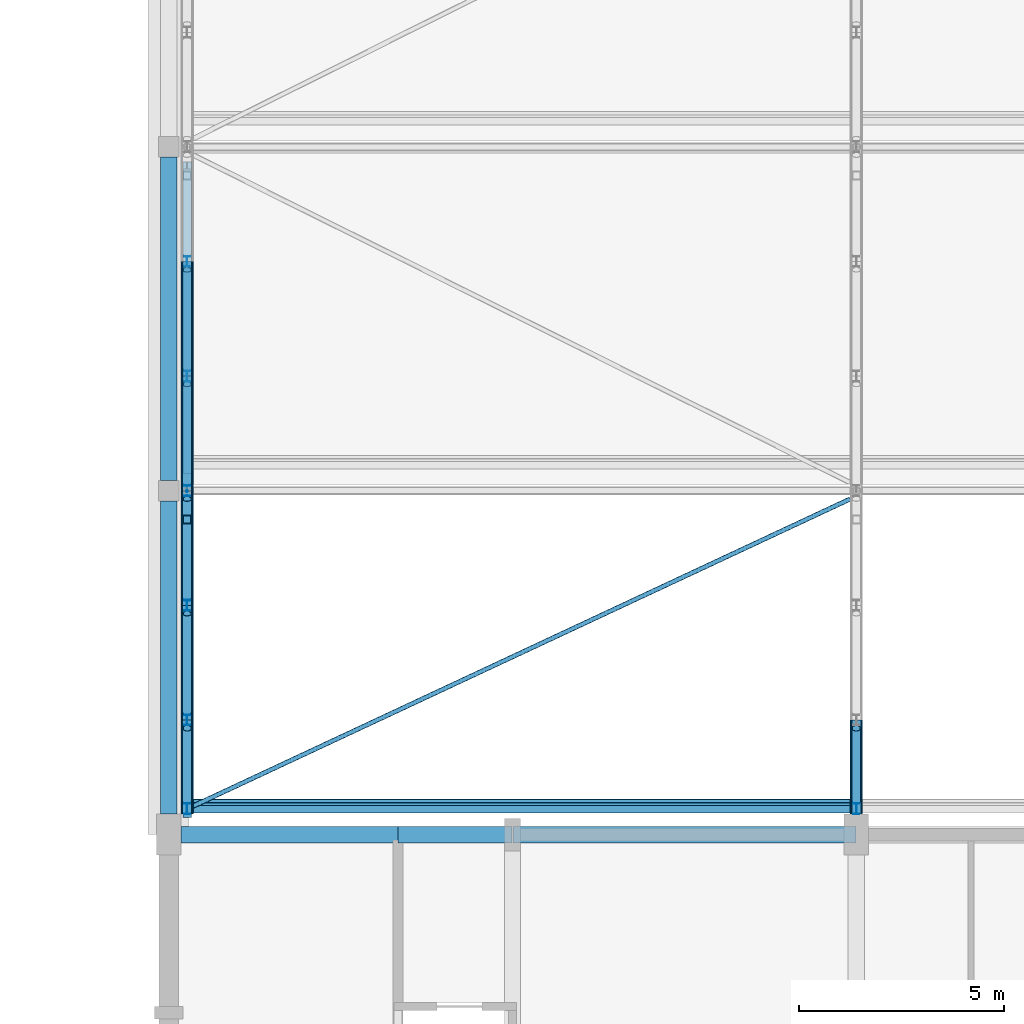
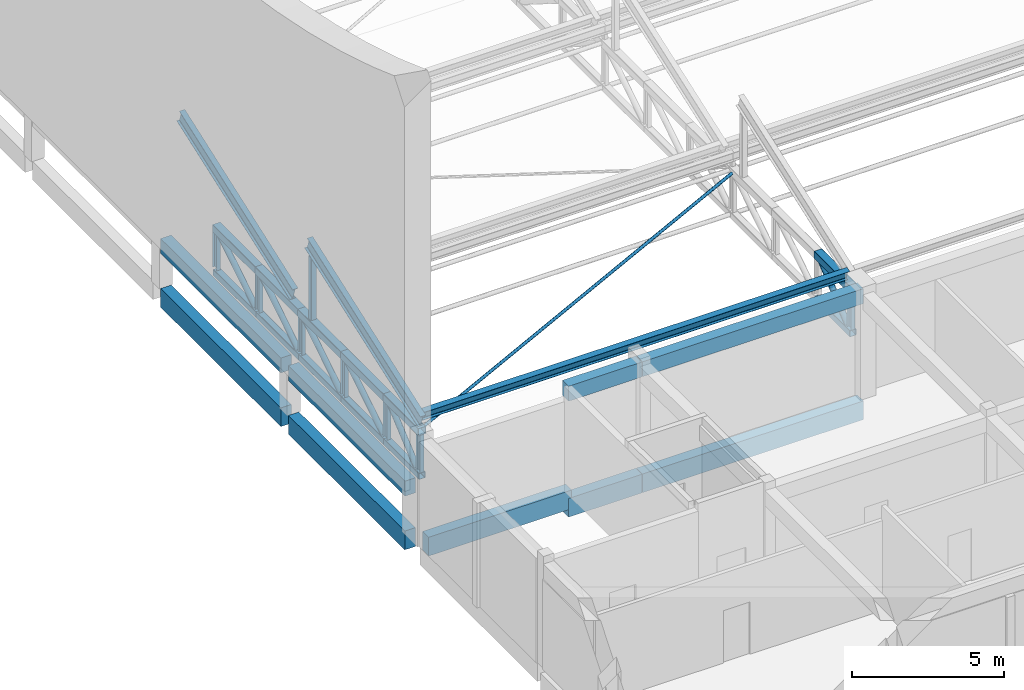
# One storey, part 9 of 101: 30 members, 9 beams.
"""IFC4 building model written with IfcOpenShell, lengths in metres."""

from ifc_helpers import new_model, si_unit, direction, frame, origin, origin_2d, place, context, subcontext, project, spatial, rectangle, hollow_rectangle, hollow_circle, i_section, extrude, material, material_profile, profile_set, type_object, element, save


model = new_model("IFC4")

# Units and contexts
model_context = context("Model", 3, precision=1e-05, world=origin(), true_north=direction((0.0, 1.0)))
body_context = subcontext(model_context, "Body", "Model", "MODEL_VIEW")
ifc_project = project(units=[si_unit("LENGTHUNIT", "METRE"), si_unit("AREAUNIT", "SQUARE_METRE"), si_unit("VOLUMEUNIT", "CUBIC_METRE"), si_unit("PLANEANGLEUNIT", "RADIAN"), si_unit("MASSUNIT", "GRAM", prefix="KILO")], contexts=[model_context])

# Site, building, storey
site_placement = place(None, origin())
site = spatial("IfcSite", under=ifc_project, at=site_placement, CompositionType="ELEMENT")
building_placement = place(site_placement, origin())
building = spatial("IfcBuilding", under=site, at=building_placement, Name="Fescue Hill Polytechnic", CompositionType="ELEMENT")
storey_placement = place(building_placement, frame((0.0, 0.0, 9.0)))
storey = spatial("IfcBuildingStorey", under=building, at=storey_placement, Name="L02", CompositionType="ELEMENT", Elevation=9.0)

# Beams
ifc_material_1 = material(Name="Concrete 35 MPa", Category="concrete")
ifc_material_profile_1 = material_profile(ifc_material_1, rectangle(XDim=0.39990234375, YDim=0.60009765625, at=origin_2d()), Name="RC 400x600")
ifc_profile_set_1 = profile_set([ifc_material_profile_1], Name="Concrete 35 MPa")
beam_type_1 = type_object("IfcBeamType", Name="Beam RC 400x600", PredefinedType="BEAM", material=ifc_profile_set_1)
beam_1_placement = place(storey_placement, frame((5.60009765625, 16.800048828125, 3.89990234375), z_axis=(1.0, 0.0, 0.0), x_axis=(0.0, 1.0, 0.0)))
element("IfcBeam", 1, at=beam_1_placement, inside=storey, type_object=beam_type_1, Name="BR-L02-0003", PredefinedType="BEAM", context=body_context, shape_type="SweptSolid", body=[
    extrude(rectangle(XDim=0.39990234375, YDim=0.60009765625, at=origin_2d()), origin(), (0.0, 0.0, 1.0), 2.789794921875),
])
beam_2_placement = place(storey_placement, frame((8.409912109375, 16.800048828125, 3.89990234375), z_axis=(1.0, 0.0, 0.0), x_axis=(0.0, 1.0, 0.0)))
element("IfcBeam", 2, at=beam_2_placement, inside=storey, type_object=beam_type_1, Name="BR-L02-0008", PredefinedType="BEAM", context=body_context, shape_type="SweptSolid", body=[
    extrude(rectangle(XDim=0.39990234375, YDim=0.60009765625, at=origin_2d()), origin(), (0.0, 0.0, 1.0), 8.380126953125),
])
beam_3_placement = place(storey_placement, frame((0.0, 17.300048828125, 1.699951171875), z_axis=(0.0, 1.0, 0.0), x_axis=(-1.0, 0.0, 0.0)))
element("IfcBeam", 3, at=beam_3_placement, inside=storey, type_object=beam_type_1, Name="Hall west gable crest beam 1", PredefinedType="BEAM", context=body_context, shape_type="SweptSolid", body=[
    extrude(rectangle(XDim=0.39990234375, YDim=0.60009765625, at=origin_2d()), origin(), (0.0, 0.0, 1.0), 7.64990234375),
])
beam_4_placement = place(storey_placement, frame((0.0, 25.449951171875, 1.699951171875), z_axis=(0.0, 1.0, 0.0), x_axis=(-1.0, 0.0, 0.0)))
element("IfcBeam", 4, at=beam_4_placement, inside=storey, type_object=beam_type_1, Name="Hall west gable crest beam 2", PredefinedType="BEAM", context=body_context, shape_type="SweptSolid", body=[
    extrude(rectangle(XDim=0.39990234375, YDim=0.60009765625, at=origin_2d()), origin(), (0.0, 0.0, 1.0), 7.900146484375),
])
ifc_material_profile_2 = material_profile(ifc_material_1, rectangle(XDim=0.39990234375, YDim=0.75, at=origin_2d()), Name="RC 400x750")
ifc_profile_set_2 = profile_set([ifc_material_profile_2], Name="Concrete 35 MPa")
beam_type_2 = type_object("IfcBeamType", Name="Beam RC 400x750", PredefinedType="BEAM", material=ifc_profile_set_2)
beam_5_placement = place(storey_placement, frame((5.60009765625, 16.800048828125, -0.675048828125), z_axis=(1.0, 0.0, 0.0), x_axis=(0.0, 1.0, 0.0)))
element("IfcBeam", 5, at=beam_5_placement, inside=storey, type_object=beam_type_2, Name="BM-L02-0012", PredefinedType="BEAM", context=body_context, shape_type="SweptSolid", body=[
    extrude(rectangle(XDim=0.39990234375, YDim=0.75, at=origin_2d()), origin(), (0.0, 0.0, 1.0), 2.789794921875),
])
beam_6_placement = place(storey_placement, frame((8.409912109375, 16.800048828125, -0.675048828125), z_axis=(1.0, 0.0, 0.0), x_axis=(0.0, 1.0, 0.0)))
element("IfcBeam", 6, at=beam_6_placement, inside=storey, type_object=beam_type_2, Name="BM-L02-0025", PredefinedType="BEAM", context=body_context, shape_type="SweptSolid", body=[
    extrude(rectangle(XDim=0.39990234375, YDim=0.75, at=origin_2d()), origin(), (0.0, 0.0, 1.0), 8.380126953125),
])
beam_7_placement = place(storey_placement, frame((0.0, 24.949951171875, -0.375), z_axis=(0.0, -1.0, 0.0), x_axis=(1.0, 0.0, 0.0)))
element("IfcBeam", 7, at=beam_7_placement, inside=storey, type_object=beam_type_2, Name="BM-L02-0140", PredefinedType="BEAM", context=body_context, shape_type="SweptSolid", body=[
    extrude(rectangle(XDim=0.39990234375, YDim=0.75, at=origin_2d()), origin(), (0.0, 0.0, 1.0), 7.64990234375),
])
beam_8_placement = place(storey_placement, frame((0.0, 33.35009765625, -0.375), z_axis=(0.0, -1.0, 0.0), x_axis=(1.0, 0.0, 0.0)))
element("IfcBeam", 8, at=beam_8_placement, inside=storey, type_object=beam_type_2, Name="BM-L02-0141", PredefinedType="BEAM", context=body_context, shape_type="SweptSolid", body=[
    extrude(rectangle(XDim=0.39990234375, YDim=0.75, at=origin_2d()), origin(), (0.0, 0.0, 1.0), 7.900146484375),
])
beam_9_placement = place(storey_placement, frame((0.300048828125, 16.800048828125, -0.375), z_axis=(1.0, 0.0, 0.0), x_axis=(0.0, 1.0, 0.0)))
element("IfcBeam", 9, at=beam_9_placement, inside=storey, type_object=beam_type_2, Name="BM-L02-0145", PredefinedType="BEAM", context=body_context, shape_type="SweptSolid", body=[
    extrude(rectangle(XDim=0.39990234375, YDim=0.75, at=origin_2d()), origin(), (0.0, 0.0, 1.0), 5.425048828125),
])

# Members
ifc_material_2 = material(Name="Steel 350W (350 MPa)", Category="steel")
ifc_material_profile_3 = material_profile(ifc_material_2, hollow_circle(Radius=0.05712890625, WallThickness=0.00634765625, at=origin_2d()), Name="Hall roof plan brace CHS 114x6.4")
ifc_profile_set_3 = profile_set([ifc_material_profile_3], Name="Steel 350W (350 MPa)")
member_type_1 = type_object("IfcMemberType", Name="Hall roof plan brace CHS 114x6.4", PredefinedType="BRACE", material=ifc_profile_set_3)
member_1_placement = place(storey_placement, frame((0.602294921875, 17.5, 3.783447265625), z_axis=(0.905920261856, 0.423448319348, 0.0), x_axis=(-0.423448319348, 0.905920261856, 0.0)))
element("IfcMember", 10, at=member_1_placement, inside=storey, type_object=member_type_1, Name="Roof plan brace bay 1 panel 1", PredefinedType="BRACE", context=body_context, shape_type="SweptSolid", body=[
    extrude(hollow_circle(Radius=0.05712890625, WallThickness=0.00634765625, at=origin_2d()), origin(), (0.0, 0.0, 1.0), 17.711669921875),
])
ifc_material_profile_4 = material_profile(ifc_material_2, hollow_rectangle(XDim=0.25390625, YDim=0.25390625, WallThickness=0.0126953125, InnerFilletRadius=0.0126953125, OuterFilletRadius=0.025390625, at=origin_2d()), Name="Hall truss bottom chord HSS 254x254x13")
ifc_profile_set_4 = profile_set([ifc_material_profile_4], Name="Steel 350W (350 MPa)")
member_type_2 = type_object("IfcMemberType", Name="Hall truss bottom chord HSS 254x254x13", PredefinedType="CHORD", material=ifc_profile_set_4)
member_2_placement = place(storey_placement, frame((0.449951171875, 17.300048828125, 2.0), z_axis=(0.0, 1.0, 0.0), x_axis=(-1.0, 0.0, 0.0)))
element("IfcMember", 11, at=member_2_placement, inside=storey, type_object=member_type_2, Name="Truss TR1 bottom chord 1", PredefinedType="CHORD", context=body_context, shape_type="SweptSolid", body=[
    extrude(hollow_rectangle(XDim=0.25390625, YDim=0.25390625, WallThickness=0.0126953125, InnerFilletRadius=0.0126953125, OuterFilletRadius=0.025390625, at=origin_2d()), origin(), (0.0, 0.0, 1.0), 2.300048828125),
])
member_3_placement = place(storey_placement, frame((0.449951171875, 19.60009765625, 2.0), z_axis=(0.0, 1.0, 0.0), x_axis=(-1.0, 0.0, 0.0)))
element("IfcMember", 12, at=member_3_placement, inside=storey, type_object=member_type_2, Name="Truss TR1 bottom chord 2", PredefinedType="CHORD", context=body_context, shape_type="SweptSolid", body=[
    extrude(hollow_rectangle(XDim=0.25390625, YDim=0.25390625, WallThickness=0.0126953125, InnerFilletRadius=0.0126953125, OuterFilletRadius=0.025390625, at=origin_2d()), origin(), (0.0, 0.0, 1.0), 2.7998046875),
])
for number, where, z_axis, x_axis, name in (
    (13, (0.449951171875, 22.39990234375, 2.0), (0.0, 1.0, 0.0), (-1.0, 0.0, 0.0), "Truss TR1 bottom chord 3"),
    (14, (0.449951171875, 25.199951171875, 2.0), (0.0, 1.0, 0.0), (-1.0, 0.0, 0.0), "Truss TR1 bottom chord 4"),
    (15, (0.449951171875, 28.0, 2.0), (0.0, 1.0, 0.0), (-1.0, 0.0, 0.0), "Truss TR1 bottom chord 5"),
):
    element("IfcMember", number, at=place(storey_placement, frame(where, z_axis=z_axis, x_axis=x_axis)), inside=storey, type_object=member_type_2, Name=name, PredefinedType="CHORD", context=body_context, shape_type="SweptSolid", body=[
        extrude(hollow_rectangle(XDim=0.25390625, YDim=0.25390625, WallThickness=0.0126953125, InnerFilletRadius=0.0126953125, OuterFilletRadius=0.025390625, at=origin_2d()), origin(), (0.0, 0.0, 1.0), 2.800048828125),
    ])
member_4_placement = place(storey_placement, frame((16.800048828125, 17.300048828125, 2.0), z_axis=(0.0, 1.0, 0.0), x_axis=(-1.0, 0.0, 0.0)))
element("IfcMember", 16, at=member_4_placement, inside=storey, type_object=member_type_2, Name="Truss TR2 bottom chord 1", PredefinedType="CHORD", context=body_context, shape_type="SweptSolid", body=[
    extrude(hollow_rectangle(XDim=0.25390625, YDim=0.25390625, WallThickness=0.0126953125, InnerFilletRadius=0.0126953125, OuterFilletRadius=0.025390625, at=origin_2d()), origin(), (0.0, 0.0, 1.0), 2.300048828125),
])
ifc_material_profile_5 = material_profile(ifc_material_2, hollow_circle(Radius=0.109619140625, WallThickness=0.009521484375, at=origin_2d()), Name="Hall truss diagonal CHS 219x9.5")
ifc_profile_set_5 = profile_set([ifc_material_profile_5], Name="Steel 350W (350 MPa)")
member_type_3 = type_object("IfcMemberType", Name="Hall truss diagonal CHS 219x9.5", PredefinedType="BRACE", material=ifc_profile_set_5)
member_5_placement = place(storey_placement, frame((0.449951171875, 17.633056640625, 2.126953125), z_axis=(0.0, 0.761443253909, 0.648231572107), x_axis=(-1.0, 0.0, 0.0)))
element("IfcMember", 17, at=member_5_placement, inside=storey, type_object=member_type_3, Name="Truss TR1 diagonal 1", PredefinedType="BRACE", context=body_context, shape_type="SweptSolid", body=[
    extrude(hollow_circle(Radius=0.109619140625, WallThickness=0.009521484375, at=origin_2d()), origin(), (0.0, 0.0, 1.0), 2.3203125),
])
for number, where, z_axis, x_axis, name in (
    (18, (0.449951171875, 19.800048828125, 2.126953125), (0.0, 0.847329350891, 0.531067765091), (-1.0, 0.0, 0.0), "Truss TR1 diagonal 2"),
    (19, (0.449951171875, 22.60009765625, 2.126953125), (0.0, 0.847329350891, 0.531067765091), (-1.0, 0.0, 0.0), "Truss TR1 diagonal 3"),
):
    element("IfcMember", number, at=place(storey_placement, frame(where, z_axis=z_axis, x_axis=x_axis)), inside=storey, type_object=member_type_3, Name=name, PredefinedType="BRACE", context=body_context, shape_type="SweptSolid", body=[
        extrude(hollow_circle(Radius=0.109619140625, WallThickness=0.009521484375, at=origin_2d()), origin(), (0.0, 0.0, 1.0), 2.832275390625),
    ])
for number, where, z_axis, x_axis, name in (
    (20, (0.449951171875, 25.39990234375, 2.126953125), (0.0, 0.847353658992, 0.531028979051), (-1.0, 0.0, 0.0), "Truss TR1 diagonal 4"),
    (21, (0.449951171875, 28.199951171875, 2.126953125), (0.0, 0.847353658992, 0.531028979051), (-1.0, 0.0, 0.0), "Truss TR1 diagonal 5"),
):
    element("IfcMember", number, at=place(storey_placement, frame(where, z_axis=z_axis, x_axis=x_axis)), inside=storey, type_object=member_type_3, Name=name, PredefinedType="BRACE", context=body_context, shape_type="SweptSolid", body=[
        extrude(hollow_circle(Radius=0.109619140625, WallThickness=0.009521484375, at=origin_2d()), origin(), (0.0, 0.0, 1.0), 2.83251953125),
    ])
member_6_placement = place(storey_placement, frame((16.800048828125, 17.633056640625, 2.126953125), z_axis=(0.0, 0.761443253909, 0.648231572107), x_axis=(-1.0, 0.0, 0.0)))
element("IfcMember", 22, at=member_6_placement, inside=storey, type_object=member_type_3, Name="Truss TR2 diagonal 1", PredefinedType="BRACE", context=body_context, shape_type="SweptSolid", body=[
    extrude(hollow_circle(Radius=0.109619140625, WallThickness=0.009521484375, at=origin_2d()), origin(), (0.0, 0.0, 1.0), 2.3203125),
])
ifc_material_profile_6 = material_profile(ifc_material_2, i_section(OverallWidth=0.14794921875, OverallDepth=0.26611328125, WebThickness=0.007568359375, FlangeThickness=0.012939453125, FilletRadius=0.013916015625, at=origin_2d()), Name="W250x45")
ifc_profile_set_6 = profile_set([ifc_material_profile_6], Name="Steel 350W (350 MPa)")
member_type_4 = type_object("IfcMemberType", Name="Hall truss post W250x45", PredefinedType="POST", material=ifc_profile_set_6)
for number, where, z_axis, x_axis, name in (
    (23, (0.449951171875, 17.43310546875, 2.126953125), (0.0, 0.0, 1.0), (1.0, 0.0, 0.0), "Truss TR1 post 1"),
    (24, (0.449951171875, 19.60009765625, 2.126953125), (0.0, 0.0, 1.0), (1.0, 0.0, 0.0), "Truss TR1 post 2"),
    (25, (0.449951171875, 22.39990234375, 2.126953125), (0.0, 0.0, 1.0), (1.0, 0.0, 0.0), "Truss TR1 post 3"),
    (26, (0.449951171875, 25.199951171875, 2.126953125), (0.0, 0.0, 1.0), (1.0, 0.0, 0.0), "Truss TR1 post 4"),
    (27, (0.449951171875, 28.0, 2.126953125), (0.0, 0.0, 1.0), (1.0, 0.0, 0.0), "Truss TR1 post 5"),
    (28, (0.449951171875, 30.800048828125, 2.126953125), (0.0, 0.0, 1.0), (1.0, 0.0, 0.0), "Truss TR1 post 6"),
    (29, (16.800048828125, 17.43310546875, 2.126953125), (0.0, 0.0, 1.0), (1.0, 0.0, 0.0), "Truss TR2 post 1"),
):
    element("IfcMember", number, at=place(storey_placement, frame(where, z_axis=z_axis, x_axis=x_axis)), inside=storey, type_object=member_type_4, Name=name, PredefinedType="POST", context=body_context, shape_type="SweptSolid", body=[
        extrude(i_section(OverallWidth=0.14794921875, OverallDepth=0.26611328125, WebThickness=0.007568359375, FlangeThickness=0.012939453125, FilletRadius=0.013916015625, at=origin_2d()), origin(), (0.0, 0.0, 1.0), 1.504150390625),
    ])
ifc_material_profile_7 = material_profile(ifc_material_2, hollow_rectangle(XDim=0.3046875, YDim=0.3046875, WallThickness=0.0126953125, InnerFilletRadius=0.0126953125, OuterFilletRadius=0.025390625, at=origin_2d()), Name="Hall truss top chord HSS 305x305x13")
ifc_profile_set_7 = profile_set([ifc_material_profile_7], Name="Steel 350W (350 MPa)")
member_type_5 = type_object("IfcMemberType", Name="Hall truss top chord HSS 305x305x13", PredefinedType="CHORD", material=ifc_profile_set_7)
member_7_placement = place(storey_placement, frame((0.449951171875, 17.300048828125, 3.783447265625), z_axis=(0.0, 1.0, 0.0), x_axis=(-1.0, 0.0, 0.0)))
element("IfcMember", 30, at=member_7_placement, inside=storey, type_object=member_type_5, Name="Truss TR1 top chord 1", PredefinedType="CHORD", context=body_context, shape_type="SweptSolid", body=[
    extrude(hollow_rectangle(XDim=0.3046875, YDim=0.3046875, WallThickness=0.0126953125, InnerFilletRadius=0.0126953125, OuterFilletRadius=0.025390625, at=origin_2d()), origin(), (0.0, 0.0, 1.0), 2.300048828125),
])
member_8_placement = place(storey_placement, frame((0.449951171875, 19.60009765625, 3.783447265625), z_axis=(0.0, 1.0, 0.0), x_axis=(-1.0, 0.0, 0.0)))
element("IfcMember", 31, at=member_8_placement, inside=storey, type_object=member_type_5, Name="Truss TR1 top chord 2", PredefinedType="CHORD", context=body_context, shape_type="SweptSolid", body=[
    extrude(hollow_rectangle(XDim=0.3046875, YDim=0.3046875, WallThickness=0.0126953125, InnerFilletRadius=0.0126953125, OuterFilletRadius=0.025390625, at=origin_2d()), origin(), (0.0, 0.0, 1.0), 2.7998046875),
])
for number, where, z_axis, x_axis, name in (
    (32, (0.449951171875, 22.39990234375, 3.783447265625), (0.0, 1.0, 0.0), (-1.0, 0.0, 0.0), "Truss TR1 top chord 3"),
    (33, (0.449951171875, 25.199951171875, 3.783447265625), (0.0, 1.0, 0.0), (-1.0, 0.0, 0.0), "Truss TR1 top chord 4"),
    (34, (0.449951171875, 28.0, 3.783447265625), (0.0, 1.0, 0.0), (-1.0, 0.0, 0.0), "Truss TR1 top chord 5"),
):
    element("IfcMember", number, at=place(storey_placement, frame(where, z_axis=z_axis, x_axis=x_axis)), inside=storey, type_object=member_type_5, Name=name, PredefinedType="CHORD", context=body_context, shape_type="SweptSolid", body=[
        extrude(hollow_rectangle(XDim=0.3046875, YDim=0.3046875, WallThickness=0.0126953125, InnerFilletRadius=0.0126953125, OuterFilletRadius=0.025390625, at=origin_2d()), origin(), (0.0, 0.0, 1.0), 2.800048828125),
    ])
member_9_placement = place(storey_placement, frame((16.800048828125, 17.300048828125, 3.783447265625), z_axis=(0.0, 1.0, 0.0), x_axis=(-1.0, 0.0, 0.0)))
element("IfcMember", 35, at=member_9_placement, inside=storey, type_object=member_type_5, Name="Truss TR2 top chord 1", PredefinedType="CHORD", context=body_context, shape_type="SweptSolid", body=[
    extrude(hollow_rectangle(XDim=0.3046875, YDim=0.3046875, WallThickness=0.0126953125, InnerFilletRadius=0.0126953125, OuterFilletRadius=0.025390625, at=origin_2d()), origin(), (0.0, 0.0, 1.0), 2.300048828125),
])
ifc_material_profile_8 = material_profile(ifc_material_2, i_section(OverallWidth=0.18994140625, OverallDepth=0.45703125, WebThickness=0.009033203125, FlangeThickness=0.014404296875, FilletRadius=0.0166015625, at=origin_2d()), Name="W460x74")
ifc_profile_set_8 = profile_set([ifc_material_profile_8], Name="Steel 350W (350 MPa)")
member_type_6 = type_object("IfcMemberType", Name="Tooth purlin W460x74", PredefinedType="PURLIN", material=ifc_profile_set_8)
member_10_placement = place(storey_placement, frame((0.554443359375, 17.5, 4.294921875), z_axis=(1.0, 0.0, 0.0), x_axis=(0.0, 0.941741911595, 0.336336396997)))
element("IfcMember", 36, at=member_10_placement, inside=storey, type_object=member_type_6, Name="Tooth 1 purlin 1 bay 1", PredefinedType="PURLIN", context=body_context, shape_type="SweptSolid", body=[
    extrude(i_section(OverallWidth=0.18994140625, OverallDepth=0.45703125, WebThickness=0.009033203125, FlangeThickness=0.014404296875, FilletRadius=0.0166015625, at=origin_2d()), origin(), (0.0, 0.0, 1.0), 16.14111328125),
])
ifc_material_profile_9 = material_profile(ifc_material_2, i_section(OverallWidth=0.208984375, OverallDepth=0.532958984375, WebThickness=0.01025390625, FlangeThickness=0.015625, FilletRadius=0.016357421875, at=origin_2d()), Name="W530x92")
ifc_profile_set_9 = profile_set([ifc_material_profile_9], Name="Steel 350W (350 MPa)")
member_type_7 = type_object("IfcMemberType", Name="Tooth rafter W530x92", PredefinedType="RAFTER", material=ifc_profile_set_9)
member_11_placement = place(storey_placement, frame((0.449951171875, 17.310302734375, 4.18701171875), z_axis=(0.0, 0.941744009147, 0.336330523793), x_axis=(-1.0, 0.0, 0.0)))
element("IfcMember", 37, at=member_11_placement, inside=storey, type_object=member_type_7, Name="Tooth 1 rafter on TR1", PredefinedType="RAFTER", context=body_context, shape_type="SweptSolid", body=[
    extrude(i_section(OverallWidth=0.208984375, OverallDepth=0.532958984375, WebThickness=0.01025390625, FlangeThickness=0.015625, FilletRadius=0.016357421875, at=origin_2d()), origin(), (0.0, 0.0, 1.0), 7.89990234375),
])
member_12_placement = place(storey_placement, frame((0.449951171875, 25.71044921875, 4.18701171875), z_axis=(0.0, 0.941740513165, 0.336340312575), x_axis=(-1.0, 0.0, 0.0)))
element("IfcMember", 38, at=member_12_placement, inside=storey, type_object=member_type_7, Name="Tooth 2 rafter on TR1", PredefinedType="RAFTER", context=body_context, shape_type="SweptSolid", body=[
    extrude(i_section(OverallWidth=0.208984375, OverallDepth=0.532958984375, WebThickness=0.01025390625, FlangeThickness=0.015625, FilletRadius=0.016357421875, at=origin_2d()), origin(), (0.0, 0.0, 1.0), 7.899658203125),
])
ifc_material_profile_10 = material_profile(ifc_material_2, hollow_rectangle(XDim=0.203125, YDim=0.203125, WallThickness=0.009521484375, InnerFilletRadius=0.009521484375, OuterFilletRadius=0.01904296875, at=origin_2d()), Name="Tooth ridge post HSS 203x203x9.5")
ifc_profile_set_10 = profile_set([ifc_material_profile_10], Name="Steel 350W (350 MPa)")
member_type_8 = type_object("IfcMemberType", Name="Tooth ridge post HSS 203x203x9.5", PredefinedType="POST", material=ifc_profile_set_10)
member_13_placement = place(storey_placement, frame((0.449951171875, 24.5, 3.93603515625), z_axis=(0.0, 0.0, 1.0), x_axis=(1.0, 0.0, 0.0)))
element("IfcMember", 39, at=member_13_placement, inside=storey, type_object=member_type_8, Name="Tooth 1 ridge post on TR1", PredefinedType="POST", context=body_context, shape_type="SweptSolid", body=[
    extrude(hollow_rectangle(XDim=0.203125, YDim=0.203125, WallThickness=0.009521484375, InnerFilletRadius=0.009521484375, OuterFilletRadius=0.01904296875, at=origin_2d()), origin(), (0.0, 0.0, 1.0), 2.499267578125),
])

save(model, "model.ifc")
